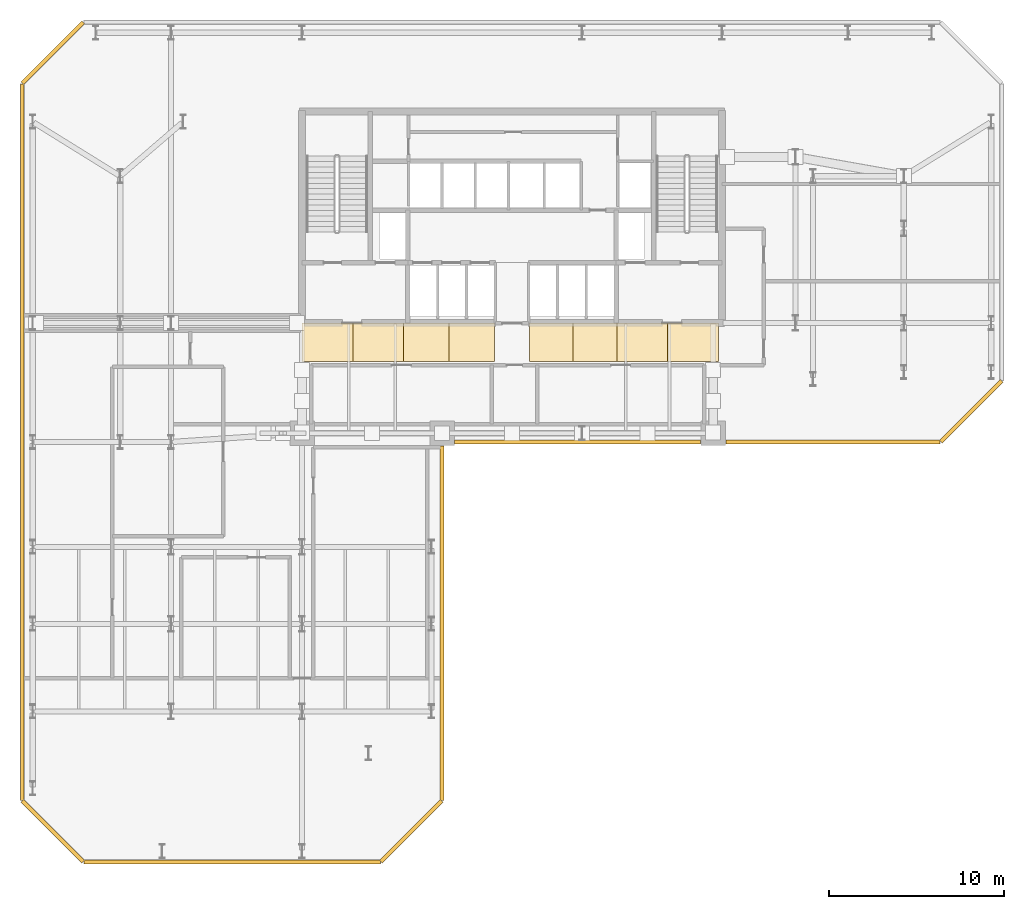
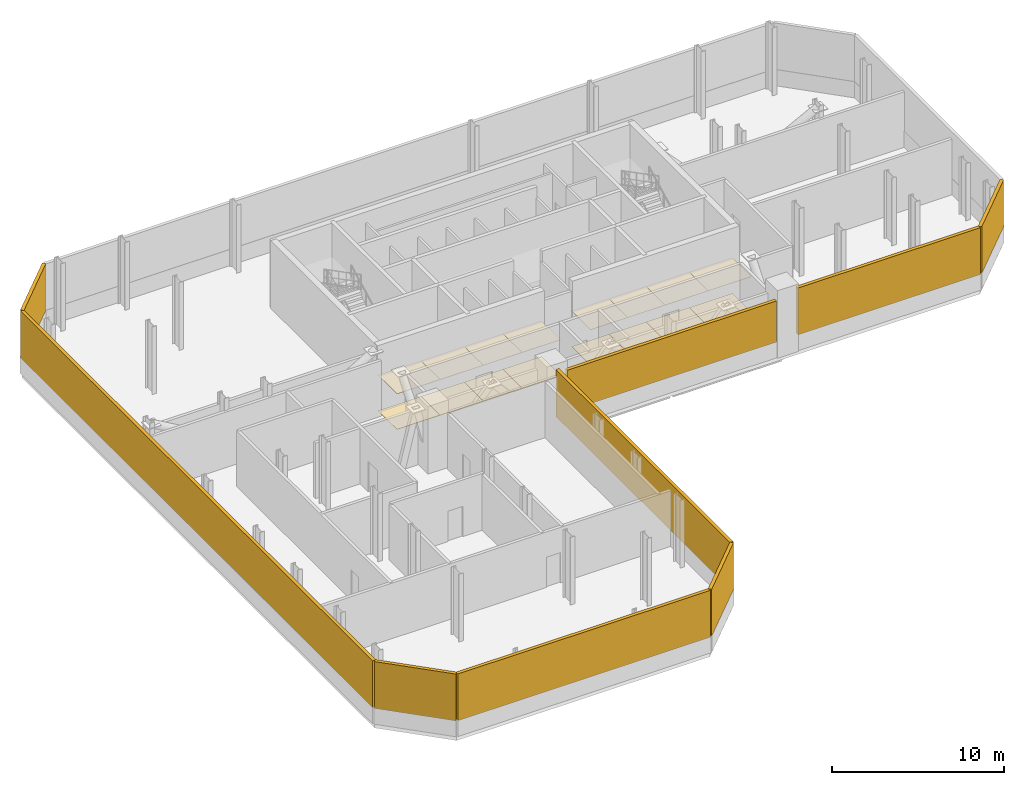
# One storey, part 6 of 8: 16 coverings, 9 shading devices.
"""IFC4 building model written with IfcOpenShell, lengths in metres."""

from ifc_helpers import new_model, si_unit, direction, frame, origin, origin_2d, place, context, subcontext, project, spatial, polyline, rectangle, outline, extrude, material, layer, layer_set, type_object, element, save


model = new_model("IFC4")

# Units and contexts
model_context = context("Model", 3, precision=1e-05, world=origin(), true_north=direction((0.0, 1.0)))
body_context = subcontext(model_context, "Body", "Model", "MODEL_VIEW")
ifc_project = project(units=[si_unit("LENGTHUNIT", "METRE"), si_unit("AREAUNIT", "SQUARE_METRE"), si_unit("VOLUMEUNIT", "CUBIC_METRE"), si_unit("PLANEANGLEUNIT", "RADIAN"), si_unit("MASSUNIT", "GRAM", prefix="KILO")], contexts=[model_context])

# Site, building, storey
site_placement = place(None, origin())
site = spatial("IfcSite", under=ifc_project, at=site_placement, CompositionType="ELEMENT")
building_placement = place(site_placement, origin())
building = spatial("IfcBuilding", under=site, at=building_placement, Name="Catumbela Crestline Tower", CompositionType="ELEMENT")
storey_placement = place(building_placement, frame((0.0, 0.0, 79.8)))
storey = spatial("IfcBuildingStorey", under=building, at=storey_placement, Name="L20", CompositionType="ELEMENT", Elevation=79.8)

# Coverings
ifc_material_1 = material(Name="Mineral-fibre acoustic ceiling")
ifc_layer_1 = layer(ifc_material_1, 0.03, Name="Mineral-fibre acoustic ceiling")
ifc_layer_set_1 = layer_set([ifc_layer_1], Name="Mineral-fibre acoustic ceiling")
covering_type_1 = type_object("IfcCoveringType", Name="CC-AC", PredefinedType="CEILING", material=ifc_layer_set_1)
covering_1_placement = place(storey_placement, frame((0.0, 0.0, 2.52)))
element("IfcCovering", 1, at=covering_1_placement, inside=storey, type_object=covering_type_1, Name="L20 Corridor Acoustic Ceiling Bay 1", PredefinedType="CEILING", context=body_context, shape_type="SweptSolid", body=[
    extrude(outline(polyline([(16.0, 28.6), (18.9, 28.6), (18.9, 30.8), (16.0, 30.8), (16.0, 28.6)])), origin(), (0.0, 0.0, 1.0), 0.03),
])
covering_2_placement = place(storey_placement, frame((0.0, 0.0, 2.52)))
element("IfcCovering", 2, at=covering_2_placement, inside=storey, type_object=covering_type_1, Name="L20 Corridor Acoustic Ceiling Bay 2", PredefinedType="CEILING", context=body_context, shape_type="SweptSolid", body=[
    extrude(outline(polyline([(18.9, 28.6), (21.8, 28.6), (21.8, 30.8), (18.9, 30.8), (18.9, 28.6)])), origin(), (0.0, 0.0, 1.0), 0.03),
])
covering_3_placement = place(storey_placement, frame((0.0, 0.0, 2.52)))
element("IfcCovering", 3, at=covering_3_placement, inside=storey, type_object=covering_type_1, Name="L20 Corridor Acoustic Ceiling Bay 3", PredefinedType="CEILING", context=body_context, shape_type="SweptSolid", body=[
    extrude(outline(polyline([(21.8, 28.6), (24.4, 28.6), (24.4, 30.8), (21.8, 30.8), (21.8, 28.6)])), origin(), (0.0, 0.0, 1.0), 0.03),
])
covering_4_placement = place(storey_placement, frame((0.0, 0.0, 2.52)))
element("IfcCovering", 4, at=covering_4_placement, inside=storey, type_object=covering_type_1, Name="L20 Corridor Acoustic Ceiling Bay 4", PredefinedType="CEILING", context=body_context, shape_type="SweptSolid", body=[
    extrude(outline(polyline([(24.4, 28.6), (27.0, 28.6), (27.0, 30.8), (24.4, 30.8), (24.4, 28.6)])), origin(), (0.0, 0.0, 1.0), 0.03),
])
covering_5_placement = place(storey_placement, frame((0.0, 0.0, 2.52)))
element("IfcCovering", 5, at=covering_5_placement, inside=storey, type_object=covering_type_1, Name="L20 Corridor Acoustic Ceiling Bay 5", PredefinedType="CEILING", context=body_context, shape_type="SweptSolid", body=[
    extrude(outline(polyline([(29.0, 28.6), (31.5, 28.6), (31.5, 30.8), (29.0, 30.8), (29.0, 28.6)])), origin(), (0.0, 0.0, 1.0), 0.03),
])
covering_6_placement = place(storey_placement, frame((0.0, 0.0, 2.52)))
element("IfcCovering", 6, at=covering_6_placement, inside=storey, type_object=covering_type_1, Name="L20 Corridor Acoustic Ceiling Bay 6", PredefinedType="CEILING", context=body_context, shape_type="SweptSolid", body=[
    extrude(outline(polyline([(31.5, 28.6), (34.0, 28.6), (34.0, 30.8), (31.5, 30.8), (31.5, 28.6)])), origin(), (0.0, 0.0, 1.0), 0.03),
])
covering_7_placement = place(storey_placement, frame((0.0, 0.0, 2.52)))
element("IfcCovering", 7, at=covering_7_placement, inside=storey, type_object=covering_type_1, Name="L20 Corridor Acoustic Ceiling Bay 7", PredefinedType="CEILING", context=body_context, shape_type="SweptSolid", body=[
    extrude(outline(polyline([(34.0, 28.6), (36.9, 28.6), (36.9, 30.8), (34.0, 30.8), (34.0, 28.6)])), origin(), (0.0, 0.0, 1.0), 0.03),
])
covering_8_placement = place(storey_placement, frame((0.0, 0.0, 2.52)))
element("IfcCovering", 8, at=covering_8_placement, inside=storey, type_object=covering_type_1, Name="L20 Corridor Acoustic Ceiling Bay 8", PredefinedType="CEILING", context=body_context, shape_type="SweptSolid", body=[
    extrude(outline(polyline([(36.9, 28.6), (39.8, 28.6), (39.8, 30.8), (36.9, 30.8), (36.9, 28.6)])), origin(), (0.0, 0.0, 1.0), 0.03),
])
ifc_material_2 = material(Name="Angolan grey-ochre granite", Category="masonry")
ifc_layer_2 = layer(ifc_material_2, 0.025, Name="Angolan grey-ochre granite")
ifc_layer_set_2 = layer_set([ifc_layer_2], Name="Angolan grey-ochre granite")
covering_type_2 = type_object("IfcCoveringType", Name="CF-GR", PredefinedType="FLOORING", material=ifc_layer_set_2)
covering_9_placement = place(storey_placement, origin())
element("IfcCovering", 9, at=covering_9_placement, inside=storey, type_object=covering_type_2, Name="L20 Corridor Granite Flooring Bay 1", PredefinedType="FLOORING", context=body_context, shape_type="SweptSolid", body=[
    extrude(outline(polyline([(16.0, 28.6), (18.9, 28.6), (18.9, 30.8), (16.0, 30.8), (16.0, 28.6)])), origin(), (0.0, 0.0, 1.0), 0.025),
])
covering_10_placement = place(storey_placement, origin())
element("IfcCovering", 10, at=covering_10_placement, inside=storey, type_object=covering_type_2, Name="L20 Corridor Granite Flooring Bay 2", PredefinedType="FLOORING", context=body_context, shape_type="SweptSolid", body=[
    extrude(outline(polyline([(18.9, 28.6), (21.8, 28.6), (21.8, 30.8), (18.9, 30.8), (18.9, 28.6)])), origin(), (0.0, 0.0, 1.0), 0.025),
])
covering_11_placement = place(storey_placement, origin())
element("IfcCovering", 11, at=covering_11_placement, inside=storey, type_object=covering_type_2, Name="L20 Corridor Granite Flooring Bay 3", PredefinedType="FLOORING", context=body_context, shape_type="SweptSolid", body=[
    extrude(outline(polyline([(21.8, 28.6), (24.4, 28.6), (24.4, 30.8), (21.8, 30.8), (21.8, 28.6)])), origin(), (0.0, 0.0, 1.0), 0.025),
])
covering_12_placement = place(storey_placement, origin())
element("IfcCovering", 12, at=covering_12_placement, inside=storey, type_object=covering_type_2, Name="L20 Corridor Granite Flooring Bay 4", PredefinedType="FLOORING", context=body_context, shape_type="SweptSolid", body=[
    extrude(outline(polyline([(24.4, 28.6), (27.0, 28.6), (27.0, 30.8), (24.4, 30.8), (24.4, 28.6)])), origin(), (0.0, 0.0, 1.0), 0.025),
])
covering_13_placement = place(storey_placement, origin())
element("IfcCovering", 13, at=covering_13_placement, inside=storey, type_object=covering_type_2, Name="L20 Corridor Granite Flooring Bay 5", PredefinedType="FLOORING", context=body_context, shape_type="SweptSolid", body=[
    extrude(outline(polyline([(29.0, 28.6), (31.5, 28.6), (31.5, 30.8), (29.0, 30.8), (29.0, 28.6)])), origin(), (0.0, 0.0, 1.0), 0.025),
])
covering_14_placement = place(storey_placement, origin())
element("IfcCovering", 14, at=covering_14_placement, inside=storey, type_object=covering_type_2, Name="L20 Corridor Granite Flooring Bay 6", PredefinedType="FLOORING", context=body_context, shape_type="SweptSolid", body=[
    extrude(outline(polyline([(31.5, 28.6), (34.0, 28.6), (34.0, 30.8), (31.5, 30.8), (31.5, 28.6)])), origin(), (0.0, 0.0, 1.0), 0.025),
])
covering_15_placement = place(storey_placement, origin())
element("IfcCovering", 15, at=covering_15_placement, inside=storey, type_object=covering_type_2, Name="L20 Corridor Granite Flooring Bay 7", PredefinedType="FLOORING", context=body_context, shape_type="SweptSolid", body=[
    extrude(outline(polyline([(34.0, 28.6), (36.9, 28.6), (36.9, 30.8), (34.0, 30.8), (34.0, 28.6)])), origin(), (0.0, 0.0, 1.0), 0.025),
])
covering_16_placement = place(storey_placement, origin())
element("IfcCovering", 16, at=covering_16_placement, inside=storey, type_object=covering_type_2, Name="L20 Corridor Granite Flooring Bay 8", PredefinedType="FLOORING", context=body_context, shape_type="SweptSolid", body=[
    extrude(outline(polyline([(36.9, 28.6), (39.8, 28.6), (39.8, 30.8), (36.9, 30.8), (36.9, 28.6)])), origin(), (0.0, 0.0, 1.0), 0.025),
])

# Shading devices
ifc_material_3 = material(Name="Aluminium alloy AW-6060-T66", Category="aluminium")
shading_device_type = type_object("IfcShadingDeviceType", Name="SL-PLT", PredefinedType="JALOUSIE", material=ifc_material_3)
shading_device_1_placement = place(storey_placement, frame((12.0, 0.0, 1.11), z_axis=(0.0, 0.0, 1.0), x_axis=(1.0, 0.0, 0.0)))
element("IfcShadingDevice", 17, at=shading_device_1_placement, inside=storey, type_object=shading_device_type, Name="L20 Acoustic Plant Louvre Bank 1", PredefinedType="JALOUSIE", context=body_context, shape_type="SweptSolid", body=[
    extrude(rectangle(XDim=16.96, YDim=0.22, at=origin_2d()), origin(), (0.0, 0.0, 1.0), 3.33),
])
shading_device_2_placement = place(storey_placement, frame((22.25, 1.75, 1.11), z_axis=(0.0, 0.0, 1.0), x_axis=(0.707106781187, 0.707106781187, 0.0)))
element("IfcShadingDevice", 18, at=shading_device_2_placement, inside=storey, type_object=shading_device_type, Name="L20 Acoustic Plant Louvre Bank 2", PredefinedType="JALOUSIE", context=body_context, shape_type="SweptSolid", body=[
    extrude(rectangle(XDim=4.9097, YDim=0.22, at=origin_2d()), origin(), (0.0, 0.0, 1.0), 3.33),
])
shading_device_3_placement = place(storey_placement, frame((24.0, 13.65, 1.11), z_axis=(0.0, 0.0, 1.0), x_axis=(0.0, 1.0, 0.0)))
element("IfcShadingDevice", 19, at=shading_device_3_placement, inside=storey, type_object=shading_device_type, Name="L20 Acoustic Plant Louvre Bank 3", PredefinedType="JALOUSIE", context=body_context, shape_type="SweptSolid", body=[
    extrude(rectangle(XDim=20.26, YDim=0.22, at=origin_2d()), origin(), (0.0, 0.0, 1.0), 3.33),
])
shading_device_4_placement = place(storey_placement, frame((31.75, 24.0, 1.11), z_axis=(0.0, 0.0, 1.0), x_axis=(1.0, 0.0, 0.0)))
element("IfcShadingDevice", 20, at=shading_device_4_placement, inside=storey, type_object=shading_device_type, Name="L20 Acoustic Plant Louvre Bank 4", PredefinedType="JALOUSIE", context=body_context, shape_type="SweptSolid", body=[
    extrude(rectangle(XDim=14.06, YDim=0.22, at=origin_2d()), origin(), (0.0, 0.0, 1.0), 2.92),
])
shading_device_5_placement = place(storey_placement, frame((46.35, 24.0, 1.11), z_axis=(0.0, 0.0, 1.0), x_axis=(1.0, 0.0, 0.0)))
element("IfcShadingDevice", 21, at=shading_device_5_placement, inside=storey, type_object=shading_device_type, Name="L20 Acoustic Plant Louvre Bank 5", PredefinedType="JALOUSIE", context=body_context, shape_type="SweptSolid", body=[
    extrude(rectangle(XDim=12.26, YDim=0.22, at=origin_2d()), origin(), (0.0, 0.0, 1.0), 3.33),
])
for number, where, z_axis, x_axis, name in (
    (22, (54.25, 25.75, 1.11), (0.0, 0.0, 1.0), (0.707106781187, 0.707106781187, 0.0), "L20 Acoustic Plant Louvre Bank 6"),
    (23, (1.75, 46.25, 1.11), (0.0, 0.0, 1.0), (-0.707106781187, -0.707106781187, 0.0), "L20 Acoustic Plant Louvre Bank 10"),
):
    element("IfcShadingDevice", number, at=place(storey_placement, frame(where, z_axis=z_axis, x_axis=x_axis)), inside=storey, type_object=shading_device_type, Name=name, PredefinedType="JALOUSIE", context=body_context, shape_type="SweptSolid", body=[
        extrude(rectangle(XDim=4.9097, YDim=0.22, at=origin_2d()), origin(), (0.0, 0.0, 1.0), 3.33),
    ])
shading_device_6_placement = place(storey_placement, frame((0.0, 24.0, 1.11), z_axis=(0.0, 0.0, 1.0), x_axis=(0.0, -1.0, 0.0)))
element("IfcShadingDevice", 24, at=shading_device_6_placement, inside=storey, type_object=shading_device_type, Name="L20 Acoustic Plant Louvre Bank 11", PredefinedType="JALOUSIE", context=body_context, shape_type="SweptSolid", body=[
    extrude(rectangle(XDim=40.96, YDim=0.22, at=origin_2d()), origin(), (0.0, 0.0, 1.0), 3.33),
])
shading_device_7_placement = place(storey_placement, frame((1.75, 1.75, 1.11), z_axis=(0.0, 0.0, 1.0), x_axis=(0.707106781187, -0.707106781187, 0.0)))
element("IfcShadingDevice", 25, at=shading_device_7_placement, inside=storey, type_object=shading_device_type, Name="L20 Acoustic Plant Louvre Bank 12", PredefinedType="JALOUSIE", context=body_context, shape_type="SweptSolid", body=[
    extrude(rectangle(XDim=4.9097, YDim=0.22, at=origin_2d()), origin(), (0.0, 0.0, 1.0), 3.33),
])

save(model, "model.ifc")
